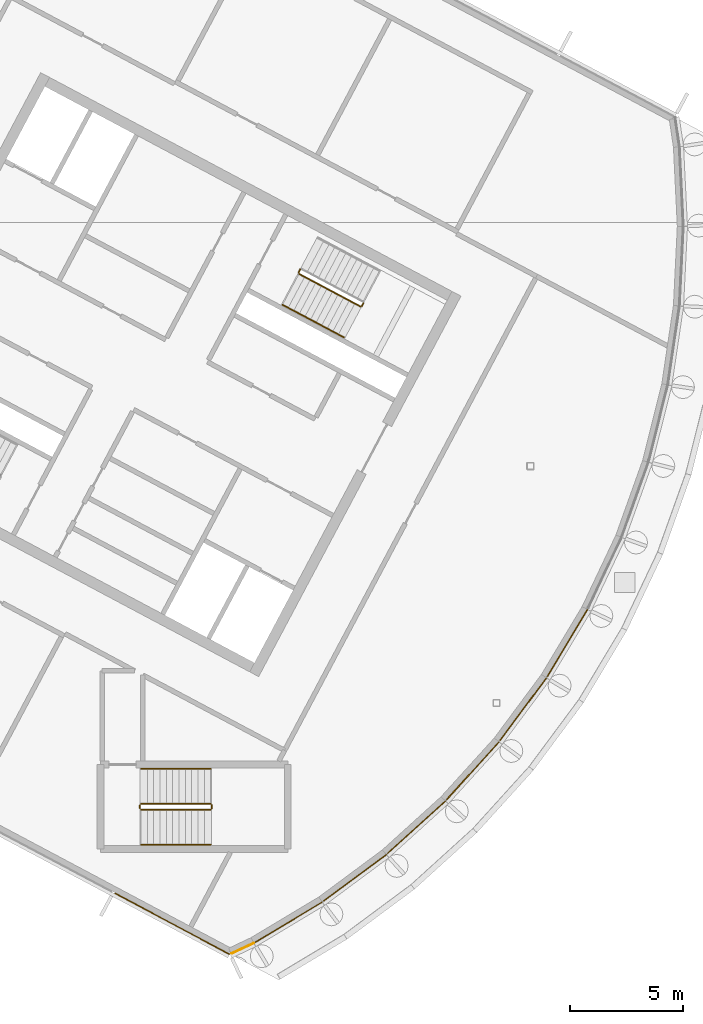
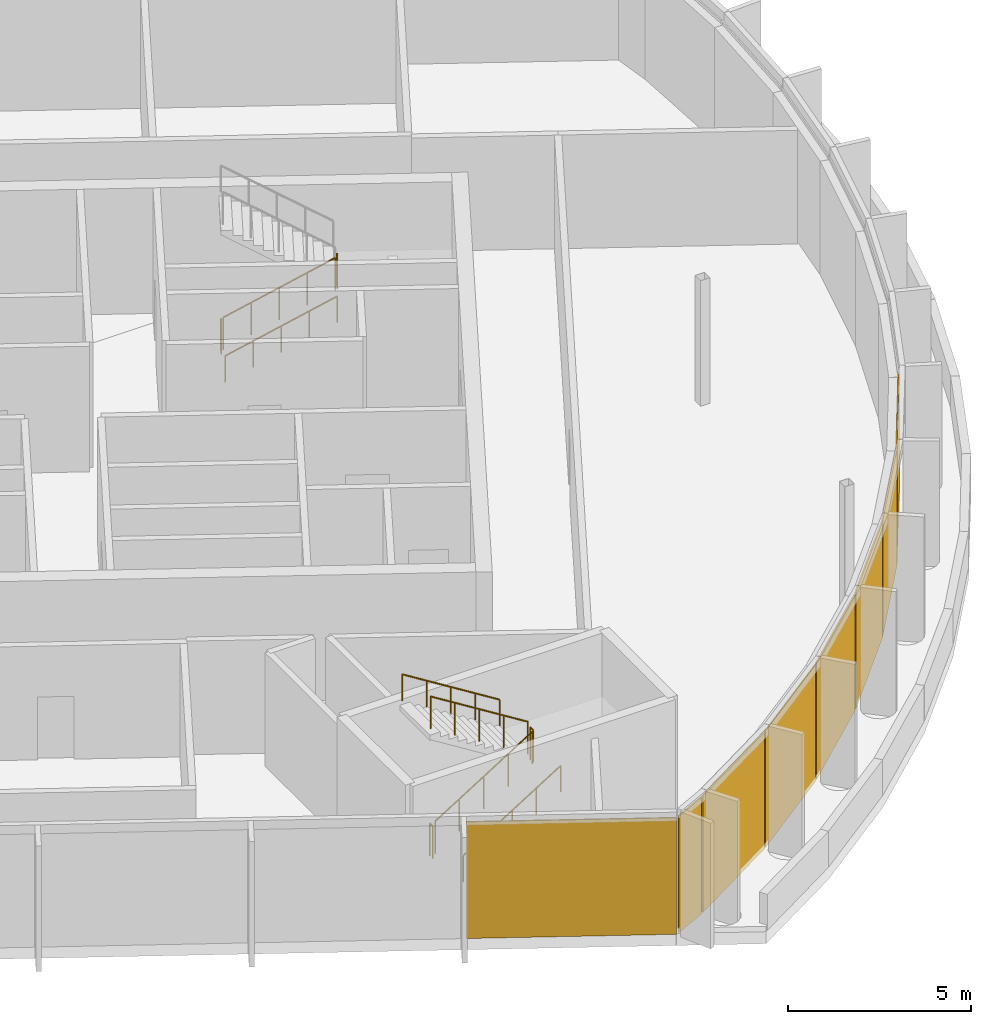
# One storey, part 11 of 12: 10 railings, 8 coverings, 8 elements without a shape of their own.
"""IFC4 building model written with IfcOpenShell, lengths in metres."""

from ifc_helpers import new_model, si_unit, direction, frame, origin, origin_2d, place, context, subcontext, project, spatial, polyline, rectangle, outline, extrude, material, layer, layer_set, type_object, element, aggregate, save


model = new_model("IFC4")

# Units and contexts
model_context = context("Model", 3, precision=1e-05, world=origin(), true_north=direction((0.0, 1.0)))
body_context = subcontext(model_context, "Body", "Model", "MODEL_VIEW")
ifc_project = project(units=[si_unit("LENGTHUNIT", "METRE"), si_unit("AREAUNIT", "SQUARE_METRE"), si_unit("VOLUMEUNIT", "CUBIC_METRE"), si_unit("PLANEANGLEUNIT", "RADIAN"), si_unit("MASSUNIT", "GRAM", prefix="KILO")], contexts=[model_context])

# Site, building, storey
site_placement = place(None, origin())
site = spatial("IfcSite", under=ifc_project, at=site_placement, CompositionType="ELEMENT")
building_placement = place(site_placement, origin())
building = spatial("IfcBuilding", under=site, at=building_placement, Name="Cormorant Relay Tower", CompositionType="ELEMENT")
storey_placement = place(building_placement, frame((0.0, 0.0, 349.199951171875)))
storey = spatial("IfcBuildingStorey", under=building, at=storey_placement, Name="C6", CompositionType="ELEMENT", Elevation=349.199951171875)

# Curtain wall, covering
ifc_material_1 = material(Name="Aluminium 6063-T6 anodised bronze", Category="aluminium")
ifc_layer_1 = layer(ifc_material_1, 0.199951171875)
ifc_layer_set_1 = layer_set([ifc_layer_1], Name="CW3 crown screen wall")
curtain_wall_type = type_object("IfcCurtainWallType", Name="CW3 crown screen wall", PredefinedType="NOTDEFINED", material=ifc_layer_set_1)
curtain_wall_1_placement = place(storey_placement, origin())
curtain_wall_1 = element("IfcCurtainWall", 1, at=curtain_wall_1_placement, inside=storey, type_object=curtain_wall_type, Name="CW3 curtain wall 1", PredefinedType="NOTDEFINED")
ifc_material_2 = material(Name="Perforated bronze anodised aluminium screen", Category="aluminium")
ifc_layer_2 = layer(ifc_material_2, 0.0400390625)
ifc_layer_set_2 = layer_set([ifc_layer_2], Name="CW3 perforated bronze screen panel 40")
covering_type = type_object("IfcCoveringType", Name="CW3 perforated bronze screen panel 40", PredefinedType="CLADDING", material=ifc_layer_set_2)
covering_1_placement = place(storey_placement, frame((-26.369384765625, -9.785888671875, 0.0), z_axis=(0.0, 0.0, 1.0), x_axis=(0.882947592859, -0.469471562786, 0.0)))
covering_1 = element("IfcCovering", 2, at=covering_1_placement, type_object=covering_type, Name="CW3 panel X04", PredefinedType="CLADDING", context=body_context, shape_type="SweptSolid", body=[
    extrude(rectangle(XDim=5.763671875, YDim=0.0400390625, at=origin_2d()), origin(), (0.0, 0.0, 1.0), 3.89990234375),
])
aggregate(curtain_wall_1, [covering_1])

curtain_wall_2_placement = place(storey_placement, origin())
curtain_wall_2 = element("IfcCurtainWall", 3, at=curtain_wall_2_placement, inside=storey, type_object=curtain_wall_type, Name="CW3 curtain wall 2", PredefinedType="NOTDEFINED")
covering_2_placement = place(storey_placement, frame((-23.24658203125, -10.8740234375, 0.0), z_axis=(0.0, 0.0, 1.0), x_axis=(0.903989293123, 0.42755509343, 0.0)))
covering_2 = element("IfcCovering", 4, at=covering_2_placement, type_object=covering_type, Name="CW3 panel X00", PredefinedType="CLADDING", context=body_context, shape_type="SweptSolid", body=[
    extrude(rectangle(XDim=1.090087890625, YDim=0.0400390625, at=origin_2d()), origin(), (0.0, 0.0, 1.0), 3.89990234375),
])
aggregate(curtain_wall_2, [covering_2])

curtain_wall_3_placement = place(storey_placement, origin())
curtain_wall_3 = element("IfcCurtainWall", 5, at=curtain_wall_3_placement, inside=storey, type_object=curtain_wall_type, Name="CW3 curtain wall 3", PredefinedType="NOTDEFINED")
covering_3_placement = place(storey_placement, frame((-21.204833984375, -9.712646484375, 0.0), z_axis=(0.0, 0.0, 1.0), x_axis=(0.85772861, 0.514102744193, 0.0)))
covering_3 = element("IfcCovering", 6, at=covering_3_placement, type_object=covering_type, Name="CW3 panel X00", PredefinedType="CLADDING", context=body_context, shape_type="SweptSolid", body=[
    extrude(rectangle(XDim=3.4580078125, YDim=0.0400390625, at=origin_2d()), origin(), (0.0, 0.0, 1.0), 3.89990234375),
])
aggregate(curtain_wall_3, [covering_3])

curtain_wall_4_placement = place(storey_placement, origin())
curtain_wall_4 = element("IfcCurtainWall", 7, at=curtain_wall_4_placement, inside=storey, type_object=curtain_wall_type, Name="CW3 curtain wall 4", PredefinedType="NOTDEFINED")
covering_4_placement = place(storey_placement, frame((-18.271240234375, -7.748046875, 0.0), z_axis=(0.0, 0.0, 1.0), x_axis=(0.803207531481, 0.595699304492, 0.0)))
covering_4 = element("IfcCovering", 8, at=covering_4_placement, type_object=covering_type, Name="CW3 panel X00", PredefinedType="CLADDING", context=body_context, shape_type="SweptSolid", body=[
    extrude(rectangle(XDim=3.4580078125, YDim=0.0400390625, at=origin_2d()), origin(), (0.0, 0.0, 1.0), 3.89990234375),
])
aggregate(curtain_wall_4, [covering_4])

curtain_wall_5_placement = place(storey_placement, origin())
curtain_wall_5 = element("IfcCurtainWall", 9, at=curtain_wall_5_placement, inside=storey, type_object=curtain_wall_type, Name="CW3 curtain wall 5", PredefinedType="NOTDEFINED")
covering_5_placement = place(storey_placement, frame((-15.54443359375, -5.505615234375, 0.0), z_axis=(0.0, 0.0, 1.0), x_axis=(0.740951125355, 0.671558954847, 0.0)))
covering_5 = element("IfcCovering", 10, at=covering_5_placement, type_object=covering_type, Name="CW3 panel X00", PredefinedType="CLADDING", context=body_context, shape_type="SweptSolid", body=[
    extrude(rectangle(XDim=3.4580078125, YDim=0.0400390625, at=origin_2d()), origin(), (0.0, 0.0, 1.0), 3.89990234375),
])
aggregate(curtain_wall_5, [covering_5])

curtain_wall_6_placement = place(storey_placement, origin())
curtain_wall_6 = element("IfcCurtainWall", 11, at=curtain_wall_6_placement, inside=storey, type_object=curtain_wall_type, Name="CW3 curtain wall 6", PredefinedType="NOTDEFINED")
covering_6_placement = place(storey_placement, frame((-13.050537109375, -3.00634765625, 0.0), z_axis=(0.0, 0.0, 1.0), x_axis=(0.671558954847, 0.740951125355, 0.0)))
covering_6 = element("IfcCovering", 12, at=covering_6_placement, type_object=covering_type, Name="CW3 panel X00", PredefinedType="CLADDING", context=body_context, shape_type="SweptSolid", body=[
    extrude(rectangle(XDim=3.4580078125, YDim=0.0400390625, at=origin_2d()), origin(), (0.0, 0.0, 1.0), 3.89990234375),
])
aggregate(curtain_wall_6, [covering_6])

curtain_wall_7_placement = place(storey_placement, origin())
curtain_wall_7 = element("IfcCurtainWall", 13, at=curtain_wall_7_placement, inside=storey, type_object=curtain_wall_type, Name="CW3 curtain wall 7", PredefinedType="NOTDEFINED")
covering_7_placement = place(storey_placement, frame((-10.813720703125, -0.27490234375, 0.0), z_axis=(0.0, 0.0, 1.0), x_axis=(0.595699304492, 0.803207531481, 0.0)))
covering_7 = element("IfcCovering", 14, at=covering_7_placement, type_object=covering_type, Name="CW3 panel X00", PredefinedType="CLADDING", context=body_context, shape_type="SweptSolid", body=[
    extrude(rectangle(XDim=3.4580078125, YDim=0.0400390625, at=origin_2d()), origin(), (0.0, 0.0, 1.0), 3.89990234375),
])
aggregate(curtain_wall_7, [covering_7])

curtain_wall_8_placement = place(storey_placement, origin())
curtain_wall_8 = element("IfcCurtainWall", 15, at=curtain_wall_8_placement, inside=storey, type_object=curtain_wall_type, Name="CW3 curtain wall 8", PredefinedType="NOTDEFINED")
covering_8_placement = place(storey_placement, frame((-8.855224609375, 2.66259765625, 0.0), z_axis=(0.0, 0.0, 1.0), x_axis=(0.514102744193, 0.85772861, 0.0)))
covering_8 = element("IfcCovering", 16, at=covering_8_placement, type_object=covering_type, Name="CW3 panel X00", PredefinedType="CLADDING", context=body_context, shape_type="SweptSolid", body=[
    extrude(rectangle(XDim=3.4580078125, YDim=0.0400390625, at=origin_2d()), origin(), (0.0, 0.0, 1.0), 3.89990234375),
])
aggregate(curtain_wall_8, [covering_8])

# Railings
ifc_material_3 = material(Name="Steel ASTM A572 Grade 50 (Fy 345 MPa)", Category="steel")
railing_type_1 = type_object("IfcRailingType", Name="Stair guard 1100", PredefinedType="GUARDRAIL", material=ifc_material_3)
railing_1_placement = place(storey_placement, frame((-20.75048828125, 19.017822265625, 0.175048828125)))
element("IfcRailing", 17, at=railing_1_placement, inside=storey, type_object=railing_type_1, Name="C6 A1 stair guard 1", PredefinedType="GUARDRAIL", context=body_context, shape_type="SweptSolid", body=[
    extrude(outline(polyline([(0.022216796875, 0.00927734375), (0.00927734375, 0.022216796875), (-0.00927734375, 0.022216796875), (-0.022216796875, 0.00927734375), (-0.022216796875, -0.00927734375), (-0.00927734375, -0.022216796875), (0.00927734375, -0.022216796875), (0.022216796875, -0.00927734375), (0.022216796875, 0.00927734375)])), frame((0.0, 0.0, 1.076171875), z_axis=(0.748747275397, -0.39806817173, 0.530018158408), x_axis=(0.469427602063, 0.882970965786, 0.0)), (0.0, 0.0, 1.0), 3.632080078125),
    extrude(outline(polyline([(0.019287109375, 0.008056640625), (0.008056640625, 0.019287109375), (-0.008056640625, 0.019287109375), (-0.019287109375, 0.008056640625), (-0.019287109375, -0.008056640625), (-0.008056640625, -0.019287109375), (0.008056640625, -0.019287109375), (0.019287109375, -0.008056640625), (0.019287109375, 0.008056640625)])), origin(), (0.0, 0.0, 1.0), 1.052001953125),
    extrude(outline(polyline([(0.019287109375, 0.008056640625), (0.008056640625, 0.019287109375), (-0.008056640625, 0.019287109375), (-0.019287109375, 0.008056640625), (-0.019287109375, -0.008056640625), (-0.008056640625, -0.019287109375), (0.008056640625, -0.019287109375), (0.019287109375, -0.008056640625), (0.019287109375, 0.008056640625)])), frame((0.679931640625, -0.361328125, 0.481201171875)), (0.0, 0.0, 1.0), 1.052001953125),
    extrude(outline(polyline([(0.019287109375, 0.008056640625), (0.008056640625, 0.019287109375), (-0.008056640625, 0.019287109375), (-0.019287109375, 0.008056640625), (-0.019287109375, -0.008056640625), (-0.008056640625, -0.019287109375), (0.008056640625, -0.019287109375), (0.019287109375, -0.008056640625), (0.019287109375, 0.008056640625)])), frame((1.35986328125, -0.722900390625, 0.96240234375)), (0.0, 0.0, 1.0), 1.052001953125),
    extrude(outline(polyline([(0.019287109375, 0.008056640625), (0.008056640625, 0.019287109375), (-0.008056640625, 0.019287109375), (-0.019287109375, 0.008056640625), (-0.019287109375, -0.008056640625), (-0.008056640625, -0.019287109375), (0.008056640625, -0.019287109375), (0.019287109375, -0.008056640625), (0.019287109375, 0.008056640625)])), frame((2.03955078125, -1.08447265625, 1.44384765625)), (0.0, 0.0, 1.0), 1.052001953125),
    extrude(outline(polyline([(0.019287109375, 0.008056640625), (0.008056640625, 0.019287109375), (-0.008056640625, 0.019287109375), (-0.019287109375, 0.008056640625), (-0.019287109375, -0.008056640625), (-0.008056640625, -0.019287109375), (0.008056640625, -0.019287109375), (0.019287109375, -0.008056640625), (0.019287109375, 0.008056640625)])), frame((2.719482421875, -1.44580078125, 1.925048828125)), (0.0, 0.0, 1.0), 1.052001953125),
])
railing_2_placement = place(storey_placement, frame((-17.96337890625, 17.592529296875, 2.10009765625)))
element("IfcRailing", 18, at=railing_2_placement, inside=storey, type_object=railing_type_1, Name="C6 A1 stair guard 2", PredefinedType="GUARDRAIL", context=body_context, shape_type="SweptSolid", body=[
    extrude(outline(polyline([(0.022216796875, 0.00927734375), (0.00927734375, 0.022216796875), (-0.00927734375, 0.022216796875), (-0.022216796875, 0.00927734375), (-0.022216796875, -0.00927734375), (-0.00927734375, -0.022216796875), (0.00927734375, -0.022216796875), (0.022216796875, -0.00927734375), (0.022216796875, 0.00927734375)])), frame((0.0, 0.0, 1.076171875), z_axis=(0.46856034887, 0.8834314911, 0.0), x_axis=(-0.8834314911, 0.46856034887, 0.0)), (0.0, 0.0, 1.0), 0.150146484375),
    extrude(outline(polyline([(0.019287109375, 0.008056640625), (0.008056640625, 0.019287109375), (-0.008056640625, 0.019287109375), (-0.019287109375, 0.008056640625), (-0.019287109375, -0.008056640625), (-0.008056640625, -0.019287109375), (0.008056640625, -0.019287109375), (0.019287109375, -0.008056640625), (0.019287109375, 0.008056640625)])), origin(), (0.0, 0.0, 1.0), 1.052001953125),
    extrude(outline(polyline([(0.019287109375, 0.008056640625), (0.008056640625, 0.019287109375), (-0.008056640625, 0.019287109375), (-0.019287109375, 0.008056640625), (-0.019287109375, -0.008056640625), (-0.008056640625, -0.019287109375), (0.008056640625, -0.019287109375), (0.019287109375, -0.008056640625), (0.019287109375, 0.008056640625)])), frame((0.0703125, 0.132568359375, 0.0)), (0.0, 0.0, 1.0), 1.052001953125),
])
railing_3_placement = place(storey_placement, frame((-20.771240234375, 19.08544921875, 0.0)))
element("IfcRailing", 19, at=railing_3_placement, inside=storey, type_object=railing_type_1, Name="C6 A1 stair guard 4", PredefinedType="GUARDRAIL", context=body_context, shape_type="SweptSolid", body=[
    extrude(outline(polyline([(0.022216796875, 0.00927734375), (0.00927734375, 0.022216796875), (-0.00927734375, 0.022216796875), (-0.022216796875, 0.00927734375), (-0.022216796875, -0.00927734375), (-0.00927734375, -0.022216796875), (0.00927734375, -0.022216796875), (0.022216796875, -0.00927734375), (0.022216796875, 0.00927734375)])), frame((0.0, 0.0, 1.076171875), z_axis=(0.469828648786, 0.882757634224, 0.0), x_axis=(-0.882757634224, 0.469828648786, 0.0)), (0.0, 0.0, 1.0), 0.150146484375),
    extrude(outline(polyline([(0.019287109375, 0.008056640625), (0.008056640625, 0.019287109375), (-0.008056640625, 0.019287109375), (-0.019287109375, 0.008056640625), (-0.019287109375, -0.008056640625), (-0.008056640625, -0.019287109375), (0.008056640625, -0.019287109375), (0.019287109375, -0.008056640625), (0.019287109375, 0.008056640625)])), origin(), (0.0, 0.0, 1.0), 1.052001953125),
    extrude(outline(polyline([(0.019287109375, 0.008056640625), (0.008056640625, 0.019287109375), (-0.008056640625, 0.019287109375), (-0.019287109375, 0.008056640625), (-0.019287109375, -0.008056640625), (-0.008056640625, -0.019287109375), (0.008056640625, -0.019287109375), (0.019287109375, -0.008056640625), (0.019287109375, 0.008056640625)])), frame((0.070556640625, 0.132568359375, 0.0)), (0.0, 0.0, 1.0), 1.052001953125),
])
railing_4_placement = place(storey_placement, frame((-27.75, -4.72509765625, 0.175048828125)))
element("IfcRailing", 20, at=railing_4_placement, inside=storey, type_object=railing_type_1, Name="C6 RC1 stair guard 1", PredefinedType="GUARDRAIL", context=body_context, shape_type="SweptSolid", body=[
    extrude(outline(polyline([(0.022216796875, 0.00927734375), (0.00927734375, 0.022216796875), (-0.00927734375, 0.022216796875), (-0.022216796875, 0.00927734375), (-0.022216796875, -0.00927734375), (-0.00927734375, -0.022216796875), (0.00927734375, -0.022216796875), (0.022216796875, -0.00927734375), (0.022216796875, 0.00927734375)])), frame((0.0, 0.0, 1.076171875), z_axis=(0.847998304005, 0.0, 0.529998940003), x_axis=(0.0, 1.0, 0.0)), (0.0, 0.0, 1.0), 3.632080078125),
    extrude(outline(polyline([(0.019287109375, 0.008056640625), (0.008056640625, 0.019287109375), (-0.008056640625, 0.019287109375), (-0.019287109375, 0.008056640625), (-0.019287109375, -0.008056640625), (-0.008056640625, -0.019287109375), (0.008056640625, -0.019287109375), (0.019287109375, -0.008056640625), (0.019287109375, 0.008056640625)])), origin(), (0.0, 0.0, 1.0), 1.052001953125),
    extrude(outline(polyline([(0.019287109375, 0.008056640625), (0.008056640625, 0.019287109375), (-0.008056640625, 0.019287109375), (-0.019287109375, 0.008056640625), (-0.019287109375, -0.008056640625), (-0.008056640625, -0.019287109375), (0.008056640625, -0.019287109375), (0.019287109375, -0.008056640625), (0.019287109375, 0.008056640625)])), frame((0.77001953125, 0.0, 0.481201171875)), (0.0, 0.0, 1.0), 1.052001953125),
    extrude(outline(polyline([(0.019287109375, 0.008056640625), (0.008056640625, 0.019287109375), (-0.008056640625, 0.019287109375), (-0.019287109375, 0.008056640625), (-0.019287109375, -0.008056640625), (-0.008056640625, -0.019287109375), (0.008056640625, -0.019287109375), (0.019287109375, -0.008056640625), (0.019287109375, 0.008056640625)])), frame((1.5400390625, 0.0, 0.96240234375)), (0.0, 0.0, 1.0), 1.052001953125),
    extrude(outline(polyline([(0.019287109375, 0.008056640625), (0.008056640625, 0.019287109375), (-0.008056640625, 0.019287109375), (-0.019287109375, 0.008056640625), (-0.019287109375, -0.008056640625), (-0.008056640625, -0.019287109375), (0.008056640625, -0.019287109375), (0.019287109375, -0.008056640625), (0.019287109375, 0.008056640625)])), frame((2.31005859375, 0.0, 1.44384765625)), (0.0, 0.0, 1.0), 1.052001953125),
    extrude(outline(polyline([(0.019287109375, 0.008056640625), (0.008056640625, 0.019287109375), (-0.008056640625, 0.019287109375), (-0.019287109375, 0.008056640625), (-0.019287109375, -0.008056640625), (-0.008056640625, -0.019287109375), (0.008056640625, -0.019287109375), (0.019287109375, -0.008056640625), (0.019287109375, 0.008056640625)])), frame((3.080078125, 0.0, 1.925048828125)), (0.0, 0.0, 1.0), 1.052001953125),
])
railing_5_placement = place(storey_placement, frame((-24.6201171875, -4.675048828125, 2.10009765625)))
element("IfcRailing", 21, at=railing_5_placement, inside=storey, type_object=railing_type_1, Name="C6 RC1 stair guard 2", PredefinedType="GUARDRAIL", context=body_context, shape_type="SweptSolid", body=[
    extrude(outline(polyline([(0.022216796875, 0.00927734375), (0.00927734375, 0.022216796875), (-0.00927734375, 0.022216796875), (-0.022216796875, 0.00927734375), (-0.022216796875, -0.00927734375), (-0.00927734375, -0.022216796875), (0.00927734375, -0.022216796875), (0.022216796875, -0.00927734375), (0.022216796875, 0.00927734375)])), frame((0.0, 0.0, 1.076171875), z_axis=(0.0, 1.0, 0.0), x_axis=(-1.0, 0.0, 0.0)), (0.0, 0.0, 1.0), 0.150146484375),
    extrude(outline(polyline([(0.019287109375, 0.008056640625), (0.008056640625, 0.019287109375), (-0.008056640625, 0.019287109375), (-0.019287109375, 0.008056640625), (-0.019287109375, -0.008056640625), (-0.008056640625, -0.019287109375), (0.008056640625, -0.019287109375), (0.019287109375, -0.008056640625), (0.019287109375, 0.008056640625)])), origin(), (0.0, 0.0, 1.0), 1.052001953125),
    extrude(outline(polyline([(0.019287109375, 0.008056640625), (0.008056640625, 0.019287109375), (-0.008056640625, 0.019287109375), (-0.019287109375, 0.008056640625), (-0.019287109375, -0.008056640625), (-0.008056640625, -0.019287109375), (0.008056640625, -0.019287109375), (0.019287109375, -0.008056640625), (0.019287109375, 0.008056640625)])), frame((0.0, 0.150146484375, 0.0)), (0.0, 0.0, 1.0), 1.052001953125),
])
railing_6_placement = place(storey_placement, frame((-24.669921875, -4.47509765625, 2.275146484375)))
element("IfcRailing", 22, at=railing_6_placement, inside=storey, type_object=railing_type_1, Name="C6 RC1 stair guard 3", PredefinedType="GUARDRAIL", context=body_context, shape_type="SweptSolid", body=[
    extrude(outline(polyline([(0.022216796875, 0.00927734375), (0.00927734375, 0.022216796875), (-0.00927734375, 0.022216796875), (-0.022216796875, 0.00927734375), (-0.022216796875, -0.00927734375), (-0.00927734375, -0.022216796875), (0.00927734375, -0.022216796875), (0.022216796875, -0.00927734375), (0.022216796875, 0.00927734375)])), frame((0.0, 0.0, 1.076171875), z_axis=(-0.848028513186, 0.0, 0.529950602248), x_axis=(0.0, -1.0, 0.0)), (0.0, 0.0, 1.0), 3.632080078125),
    extrude(outline(polyline([(0.019287109375, 0.008056640625), (0.008056640625, 0.019287109375), (-0.008056640625, 0.019287109375), (-0.019287109375, 0.008056640625), (-0.019287109375, -0.008056640625), (-0.008056640625, -0.019287109375), (0.008056640625, -0.019287109375), (0.019287109375, -0.008056640625), (0.019287109375, 0.008056640625)])), origin(), (0.0, 0.0, 1.0), 1.052001953125),
    extrude(outline(polyline([(0.019287109375, 0.008056640625), (0.008056640625, 0.019287109375), (-0.008056640625, 0.019287109375), (-0.019287109375, 0.008056640625), (-0.019287109375, -0.008056640625), (-0.008056640625, -0.019287109375), (0.008056640625, -0.019287109375), (0.019287109375, -0.008056640625), (0.019287109375, 0.008056640625)])), frame((-0.77001953125, 0.0, 0.481201171875)), (0.0, 0.0, 1.0), 1.052001953125),
    extrude(outline(polyline([(0.019287109375, 0.008056640625), (0.008056640625, 0.019287109375), (-0.008056640625, 0.019287109375), (-0.019287109375, 0.008056640625), (-0.019287109375, -0.008056640625), (-0.008056640625, -0.019287109375), (0.008056640625, -0.019287109375), (0.019287109375, -0.008056640625), (0.019287109375, 0.008056640625)])), frame((-1.5400390625, 0.0, 0.96240234375)), (0.0, 0.0, 1.0), 1.052001953125),
    extrude(outline(polyline([(0.019287109375, 0.008056640625), (0.008056640625, 0.019287109375), (-0.008056640625, 0.019287109375), (-0.019287109375, 0.008056640625), (-0.019287109375, -0.008056640625), (-0.008056640625, -0.019287109375), (0.008056640625, -0.019287109375), (0.019287109375, -0.008056640625), (0.019287109375, 0.008056640625)])), frame((-2.31005859375, 0.0, 1.443603515625)), (0.0, 0.0, 1.0), 1.052001953125),
    extrude(outline(polyline([(0.019287109375, 0.008056640625), (0.008056640625, 0.019287109375), (-0.008056640625, 0.019287109375), (-0.019287109375, 0.008056640625), (-0.019287109375, -0.008056640625), (-0.008056640625, -0.019287109375), (0.008056640625, -0.019287109375), (0.019287109375, -0.008056640625), (0.019287109375, 0.008056640625)])), frame((-3.080078125, 0.0, 1.9248046875)), (0.0, 0.0, 1.0), 1.052001953125),
])
railing_7_placement = place(storey_placement, frame((-27.800048828125, -4.675048828125, 0.0)))
element("IfcRailing", 23, at=railing_7_placement, inside=storey, type_object=railing_type_1, Name="C6 RC1 stair guard 4", PredefinedType="GUARDRAIL", context=body_context, shape_type="SweptSolid", body=[
    extrude(outline(polyline([(0.022216796875, 0.00927734375), (0.00927734375, 0.022216796875), (-0.00927734375, 0.022216796875), (-0.022216796875, 0.00927734375), (-0.022216796875, -0.00927734375), (-0.00927734375, -0.022216796875), (0.00927734375, -0.022216796875), (0.022216796875, -0.00927734375), (0.022216796875, 0.00927734375)])), frame((0.0, 0.0, 1.076171875), z_axis=(0.0, 1.0, 0.0), x_axis=(-1.0, 0.0, 0.0)), (0.0, 0.0, 1.0), 0.150146484375),
    extrude(outline(polyline([(0.019287109375, 0.008056640625), (0.008056640625, 0.019287109375), (-0.008056640625, 0.019287109375), (-0.019287109375, 0.008056640625), (-0.019287109375, -0.008056640625), (-0.008056640625, -0.019287109375), (0.008056640625, -0.019287109375), (0.019287109375, -0.008056640625), (0.019287109375, 0.008056640625)])), origin(), (0.0, 0.0, 1.0), 1.052001953125),
    extrude(outline(polyline([(0.019287109375, 0.008056640625), (0.008056640625, 0.019287109375), (-0.008056640625, 0.019287109375), (-0.019287109375, 0.008056640625), (-0.019287109375, -0.008056640625), (-0.008056640625, -0.019287109375), (0.008056640625, -0.019287109375), (0.019287109375, -0.008056640625), (0.019287109375, 0.008056640625)])), frame((0.0, 0.150146484375, 0.0)), (0.0, 0.0, 1.0), 1.052001953125),
])
ifc_material_4 = material(Name="Steel ASTM A572 Grade 50 (Fy 345 MPa)", Category="steel")
railing_type_2 = type_object("IfcRailingType", Name="Stair handrail 900", PredefinedType="HANDRAIL", material=ifc_material_4)
railing_8_placement = place(storey_placement, frame((-21.478271484375, 17.6494140625, 0.175048828125)))
element("IfcRailing", 24, at=railing_8_placement, inside=storey, type_object=railing_type_2, Name="C6 A1 stair handrail 1", PredefinedType="HANDRAIL", context=body_context, shape_type="SweptSolid", body=[
    extrude(outline(polyline([(0.022216796875, 0.00927734375), (0.00927734375, 0.022216796875), (-0.00927734375, 0.022216796875), (-0.022216796875, 0.00927734375), (-0.022216796875, -0.00927734375), (-0.00927734375, -0.022216796875), (0.00927734375, -0.022216796875), (0.022216796875, -0.00927734375), (0.022216796875, 0.00927734375)])), frame((0.0, 0.0, 0.8759765625), z_axis=(0.748727239859, -0.398124736663, 0.530003975787), x_axis=(0.469489399267, 0.882938108802, 0.0)), (0.0, 0.0, 1.0), 3.632080078125),
    extrude(outline(polyline([(0.019287109375, 0.008056640625), (0.008056640625, 0.019287109375), (-0.008056640625, 0.019287109375), (-0.019287109375, 0.008056640625), (-0.019287109375, -0.008056640625), (-0.008056640625, -0.019287109375), (0.008056640625, -0.019287109375), (0.019287109375, -0.008056640625), (0.019287109375, 0.008056640625)])), origin(), (0.0, 0.0, 1.0), 0.851806640625),
    extrude(outline(polyline([(0.019287109375, 0.008056640625), (0.008056640625, 0.019287109375), (-0.008056640625, 0.019287109375), (-0.019287109375, 0.008056640625), (-0.019287109375, -0.008056640625), (-0.008056640625, -0.019287109375), (0.008056640625, -0.019287109375), (0.019287109375, -0.008056640625), (0.019287109375, 0.008056640625)])), frame((0.679931640625, -0.361572265625, 0.481201171875)), (0.0, 0.0, 1.0), 0.851806640625),
    extrude(outline(polyline([(0.019287109375, 0.008056640625), (0.008056640625, 0.019287109375), (-0.008056640625, 0.019287109375), (-0.019287109375, 0.008056640625), (-0.019287109375, -0.008056640625), (-0.008056640625, -0.019287109375), (0.008056640625, -0.019287109375), (0.019287109375, -0.008056640625), (0.019287109375, 0.008056640625)])), frame((1.35986328125, -0.72314453125, 0.96240234375)), (0.0, 0.0, 1.0), 0.851806640625),
    extrude(outline(polyline([(0.019287109375, 0.008056640625), (0.008056640625, 0.019287109375), (-0.008056640625, 0.019287109375), (-0.019287109375, 0.008056640625), (-0.019287109375, -0.008056640625), (-0.008056640625, -0.019287109375), (0.008056640625, -0.019287109375), (0.019287109375, -0.008056640625), (0.019287109375, 0.008056640625)])), frame((2.03955078125, -1.08447265625, 1.44384765625)), (0.0, 0.0, 1.0), 0.851806640625),
    extrude(outline(polyline([(0.019287109375, 0.008056640625), (0.008056640625, 0.019287109375), (-0.008056640625, 0.019287109375), (-0.019287109375, 0.008056640625), (-0.019287109375, -0.008056640625), (-0.008056640625, -0.019287109375), (0.008056640625, -0.019287109375), (0.019287109375, -0.008056640625), (0.019287109375, 0.008056640625)])), frame((2.719482421875, -1.446044921875, 1.925048828125)), (0.0, 0.0, 1.0), 0.851806640625),
])
railing_9_placement = place(storey_placement, frame((-27.75, -6.27490234375, 0.175048828125)))
element("IfcRailing", 25, at=railing_9_placement, inside=storey, type_object=railing_type_2, Name="C6 RC1 stair handrail 1", PredefinedType="HANDRAIL", context=body_context, shape_type="SweptSolid", body=[
    extrude(outline(polyline([(0.022216796875, 0.00927734375), (0.00927734375, 0.022216796875), (-0.00927734375, 0.022216796875), (-0.022216796875, 0.00927734375), (-0.022216796875, -0.00927734375), (-0.00927734375, -0.022216796875), (0.00927734375, -0.022216796875), (0.022216796875, -0.00927734375), (0.022216796875, 0.00927734375)])), frame((0.0, 0.0, 0.8759765625), z_axis=(0.847998304005, 0.0, 0.529998940003), x_axis=(0.0, 1.0, 0.0)), (0.0, 0.0, 1.0), 3.632080078125),
    extrude(outline(polyline([(0.019287109375, 0.008056640625), (0.008056640625, 0.019287109375), (-0.008056640625, 0.019287109375), (-0.019287109375, 0.008056640625), (-0.019287109375, -0.008056640625), (-0.008056640625, -0.019287109375), (0.008056640625, -0.019287109375), (0.019287109375, -0.008056640625), (0.019287109375, 0.008056640625)])), origin(), (0.0, 0.0, 1.0), 0.851806640625),
    extrude(outline(polyline([(0.019287109375, 0.008056640625), (0.008056640625, 0.019287109375), (-0.008056640625, 0.019287109375), (-0.019287109375, 0.008056640625), (-0.019287109375, -0.008056640625), (-0.008056640625, -0.019287109375), (0.008056640625, -0.019287109375), (0.019287109375, -0.008056640625), (0.019287109375, 0.008056640625)])), frame((0.77001953125, 0.0, 0.481201171875)), (0.0, 0.0, 1.0), 0.851806640625),
    extrude(outline(polyline([(0.019287109375, 0.008056640625), (0.008056640625, 0.019287109375), (-0.008056640625, 0.019287109375), (-0.019287109375, 0.008056640625), (-0.019287109375, -0.008056640625), (-0.008056640625, -0.019287109375), (0.008056640625, -0.019287109375), (0.019287109375, -0.008056640625), (0.019287109375, 0.008056640625)])), frame((1.5400390625, 0.0, 0.96240234375)), (0.0, 0.0, 1.0), 0.851806640625),
    extrude(outline(polyline([(0.019287109375, 0.008056640625), (0.008056640625, 0.019287109375), (-0.008056640625, 0.019287109375), (-0.019287109375, 0.008056640625), (-0.019287109375, -0.008056640625), (-0.008056640625, -0.019287109375), (0.008056640625, -0.019287109375), (0.019287109375, -0.008056640625), (0.019287109375, 0.008056640625)])), frame((2.31005859375, 0.0, 1.44384765625)), (0.0, 0.0, 1.0), 0.851806640625),
    extrude(outline(polyline([(0.019287109375, 0.008056640625), (0.008056640625, 0.019287109375), (-0.008056640625, 0.019287109375), (-0.019287109375, 0.008056640625), (-0.019287109375, -0.008056640625), (-0.008056640625, -0.019287109375), (0.008056640625, -0.019287109375), (0.019287109375, -0.008056640625), (0.019287109375, 0.008056640625)])), frame((3.080078125, 0.0, 1.925048828125)), (0.0, 0.0, 1.0), 0.851806640625),
])
railing_10_placement = place(storey_placement, frame((-24.669921875, -2.925048828125, 2.275146484375)))
element("IfcRailing", 26, at=railing_10_placement, inside=storey, type_object=railing_type_2, Name="C6 RC1 stair handrail 2", PredefinedType="HANDRAIL", context=body_context, shape_type="SweptSolid", body=[
    extrude(outline(polyline([(0.022216796875, 0.00927734375), (0.00927734375, 0.022216796875), (-0.00927734375, 0.022216796875), (-0.022216796875, 0.00927734375), (-0.022216796875, -0.00927734375), (-0.00927734375, -0.022216796875), (0.00927734375, -0.022216796875), (0.022216796875, -0.00927734375), (0.022216796875, 0.00927734375)])), frame((0.0, 0.0, 0.8759765625), z_axis=(-0.848028513186, 0.0, 0.529950602248), x_axis=(0.0, -1.0, 0.0)), (0.0, 0.0, 1.0), 3.632080078125),
    extrude(outline(polyline([(0.019287109375, 0.008056640625), (0.008056640625, 0.019287109375), (-0.008056640625, 0.019287109375), (-0.019287109375, 0.008056640625), (-0.019287109375, -0.008056640625), (-0.008056640625, -0.019287109375), (0.008056640625, -0.019287109375), (0.019287109375, -0.008056640625), (0.019287109375, 0.008056640625)])), origin(), (0.0, 0.0, 1.0), 0.851806640625),
    extrude(outline(polyline([(0.019287109375, 0.008056640625), (0.008056640625, 0.019287109375), (-0.008056640625, 0.019287109375), (-0.019287109375, 0.008056640625), (-0.019287109375, -0.008056640625), (-0.008056640625, -0.019287109375), (0.008056640625, -0.019287109375), (0.019287109375, -0.008056640625), (0.019287109375, 0.008056640625)])), frame((-0.77001953125, 0.0, 0.481201171875)), (0.0, 0.0, 1.0), 0.851806640625),
    extrude(outline(polyline([(0.019287109375, 0.008056640625), (0.008056640625, 0.019287109375), (-0.008056640625, 0.019287109375), (-0.019287109375, 0.008056640625), (-0.019287109375, -0.008056640625), (-0.008056640625, -0.019287109375), (0.008056640625, -0.019287109375), (0.019287109375, -0.008056640625), (0.019287109375, 0.008056640625)])), frame((-1.5400390625, 0.0, 0.96240234375)), (0.0, 0.0, 1.0), 0.851806640625),
    extrude(outline(polyline([(0.019287109375, 0.008056640625), (0.008056640625, 0.019287109375), (-0.008056640625, 0.019287109375), (-0.019287109375, 0.008056640625), (-0.019287109375, -0.008056640625), (-0.008056640625, -0.019287109375), (0.008056640625, -0.019287109375), (0.019287109375, -0.008056640625), (0.019287109375, 0.008056640625)])), frame((-2.31005859375, 0.0, 1.443603515625)), (0.0, 0.0, 1.0), 0.851806640625),
    extrude(outline(polyline([(0.019287109375, 0.008056640625), (0.008056640625, 0.019287109375), (-0.008056640625, 0.019287109375), (-0.019287109375, 0.008056640625), (-0.019287109375, -0.008056640625), (-0.008056640625, -0.019287109375), (0.008056640625, -0.019287109375), (0.019287109375, -0.008056640625), (0.019287109375, 0.008056640625)])), frame((-3.080078125, 0.0, 1.9248046875)), (0.0, 0.0, 1.0), 0.851806640625),
])

save(model, "model.ifc")
